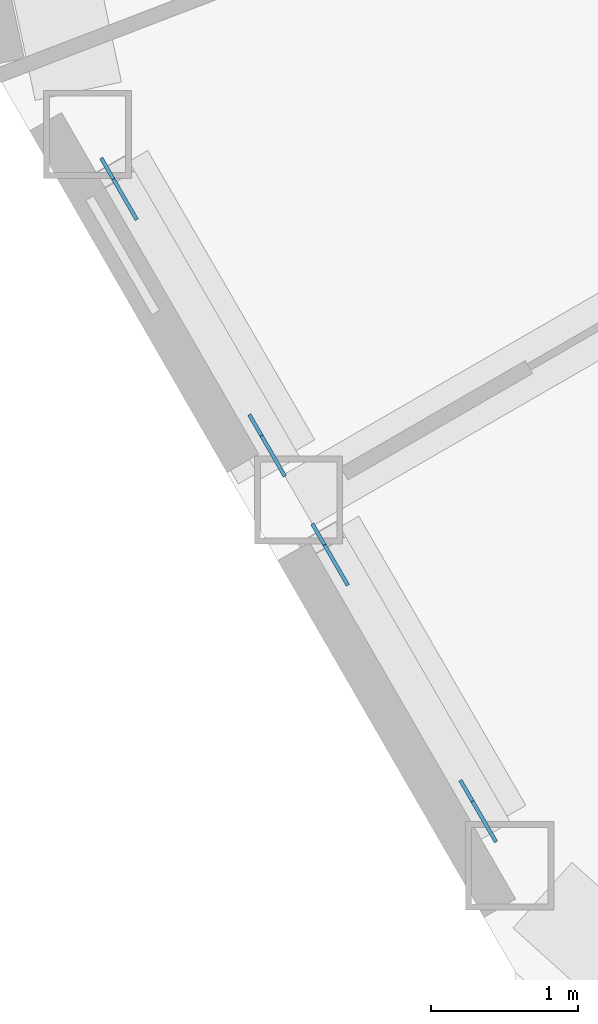
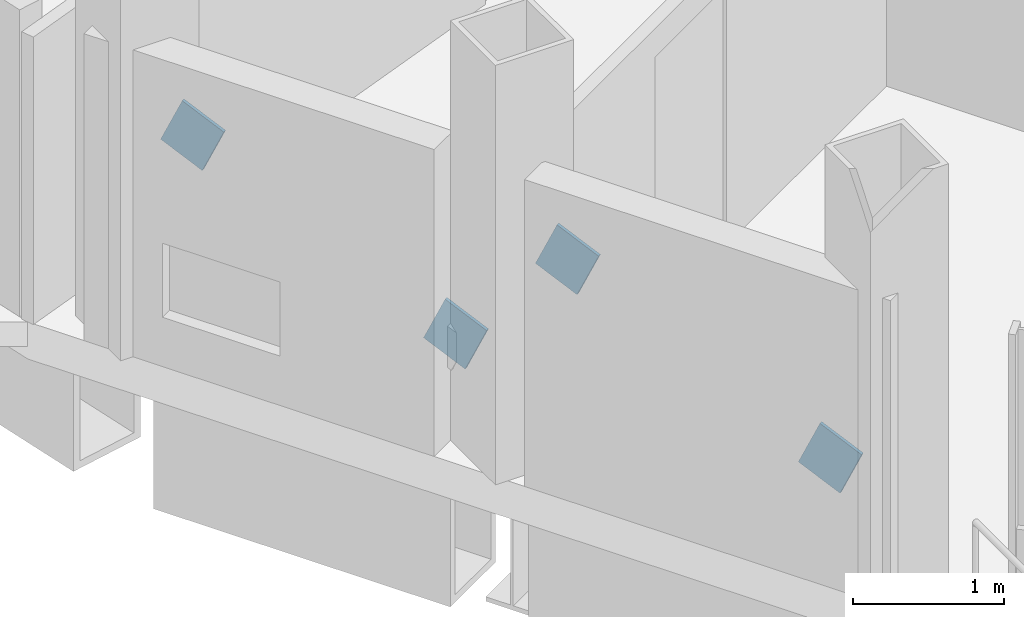
# One storey, part 20 of 28: 4 discrete accessories.
"""IFC4 building model written with IfcOpenShell, lengths in metres."""

import ifcopenshell
import ifcopenshell.guid

model = None  # the IFC model being written
_history = None  # IfcOwnerHistory: only IFC2X3 demands one
_inside = {}  # id of a spatial element -> (the spatial element, [elements in it])
_under = {}  # id of a project, library or spatial element -> (it, [spatial elements below it])
_declared = {}  # id of a project -> (the project, [libraries it declares])
_typed = {}  # id of a type object -> (the type object, [elements of that type])
_made_of = {}  # id of a material, layer set ... -> (it, [elements and type objects made of it])


def new_model(schema):
    """Start an empty IFC model of exactly this schema.

    Asked for "IFC4X3", IfcOpenShell would pick the latest addendum, in which some entities
    have other attributes; the version numbers below select the first issue.
    IFC2X3 requires an IfcOwnerHistory on every rooted entity: one is made here for all.
    """
    global model, _history
    if schema == "IFC4X3":
        model = ifcopenshell.file(schema_version=(4, 3, 0, 0))
    else:
        model = ifcopenshell.file(schema=schema)
    _inside.clear()
    _under.clear()
    _declared.clear()
    _typed.clear()
    _made_of.clear()
    _history = None
    if model.schema == "IFC2X3":
        org = make("IfcOrganization", Name="unknown")
        user = make(
            "IfcPersonAndOrganization",
            ThePerson=make("IfcPerson", FamilyName="unknown"),
            TheOrganization=org,
        )
        app = make(
            "IfcApplication",
            ApplicationDeveloper=org,
            Version="unknown",
            ApplicationFullName="unknown",
            ApplicationIdentifier="unknown",
        )
        _history = make(
            "IfcOwnerHistory",
            OwningUser=user,
            OwningApplication=app,
            ChangeAction="ADDED",
            CreationDate=0,
        )
    return model


def make(cls, **values):
    """One entity of the class cls with the attributes given. An attribute that is None is left unset."""
    return model.create_entity(
        cls, **{name: value for name, value in values.items() if value is not None}
    )


def rooted(cls, **values):
    """An entity with a GlobalId (a new one), such as an element, a storey or a relation."""
    return make(cls, GlobalId=ifcopenshell.guid.new(), OwnerHistory=_history, **values)


def si_unit(unit_type, name, prefix=None):
    """IfcSIUnit, for example si_unit("LENGTHUNIT", "METRE", prefix="MILLI")."""
    return make("IfcSIUnit", UnitType=unit_type, Prefix=prefix, Name=name)


def assignment(units):
    """IfcUnitAssignment: the units of a project."""
    return None if units is None else make("IfcUnitAssignment", Units=units)


def point(xyz):
    """IfcCartesianPoint."""
    return None if xyz is None else make("IfcCartesianPoint", Coordinates=xyz)


def direction(xyz):
    """IfcDirection."""
    return None if xyz is None else make("IfcDirection", DirectionRatios=xyz)


def frame(location, z_axis=None, x_axis=None):
    """IfcAxis2Placement3D, a coordinate frame: its origin and axes. An axis left out is left unset."""
    return make(
        "IfcAxis2Placement3D",
        Location=point(location),
        Axis=direction(z_axis),
        RefDirection=direction(x_axis),
    )


def frame_2d(location, x_axis=None):
    """IfcAxis2Placement2D, a coordinate frame in the plane: its origin and x axis."""
    return make(
        "IfcAxis2Placement2D", Location=point(location), RefDirection=direction(x_axis)
    )


def origin():
    """The frame at (0, 0, 0) with its axes left unset."""
    return frame((0.0, 0.0, 0.0))


def origin_2d():
    """The frame at (0, 0) in the plane with its x axis left unset."""
    return frame_2d((0.0, 0.0))


def place(relative_to, where):
    """IfcLocalPlacement: puts the frame where relative to a parent placement (None: the world)."""
    return make(
        "IfcLocalPlacement", PlacementRelTo=relative_to, RelativePlacement=where
    )


def context(
    kind, dimensions, precision=None, world=None, true_north=None, identifier=None
):
    """IfcGeometricRepresentationContext, for example the 3D "Model" context."""
    return make(
        "IfcGeometricRepresentationContext",
        ContextIdentifier=identifier,
        ContextType=kind,
        CoordinateSpaceDimension=dimensions,
        Precision=precision,
        WorldCoordinateSystem=world,
        TrueNorth=true_north,
    )


def subcontext(parent, identifier, kind, view, scale=None):
    """IfcGeometricRepresentationSubContext, for example "Body" below "Model"."""
    return make(
        "IfcGeometricRepresentationSubContext",
        ContextIdentifier=identifier,
        ContextType=kind,
        ParentContext=parent,
        TargetScale=scale,
        TargetView=view,
    )


def project(units=None, contexts=None):
    """IfcProject with its units and contexts."""
    return rooted(
        "IfcProject",
        Name="project",
        RepresentationContexts=contexts,
        UnitsInContext=assignment(units),
    )


def spatial(cls, under=None, at=None, **own):
    """A site, building, storey or space (cls), placed at a placement, below another one or the project."""
    s = rooted(cls, ObjectPlacement=at, **own)
    if under is not None:
        _under.setdefault(under.id(), (under, []))[1].append(s)
    return s


def profile(cls, at=None, kind="AREA", **sizes):
    """A parametric profile (cls). Its sizes go by their IFC names, for example OverallWidth=200.0."""
    return make(cls, ProfileType=kind, Position=at, **sizes)


def rectangle(**sizes):
    """IfcRectangleProfileDef."""
    return profile("IfcRectangleProfileDef", **sizes)


def extrude(swept, where, along, depth):
    """IfcExtrudedAreaSolid: the profile swept, set in the frame where, extruded along a direction by depth."""
    return make(
        "IfcExtrudedAreaSolid",
        SweptArea=swept,
        Position=where,
        ExtrudedDirection=direction(along),
        Depth=depth,
    )


def shape(context_of_items, identifier, shape_type, items):
    """IfcShapeRepresentation: the items that make up one representation, for example the "Body"."""
    return make(
        "IfcShapeRepresentation",
        ContextOfItems=context_of_items,
        RepresentationIdentifier=identifier,
        RepresentationType=shape_type,
        Items=items,
    )


def material(Name=None, Category=None):
    """IfcMaterial."""
    return make("IfcMaterial", Name=Name, Category=Category)


def material_profile(
    of_material, cross_section, Name=None, Category=None, Priority=None
):
    """IfcMaterialProfile: a cross section and its material."""
    return make(
        "IfcMaterialProfile",
        Name=Name,
        Material=of_material,
        Profile=cross_section,
        Priority=Priority,
        Category=Category,
    )


def profile_set(profiles, Name=None, composite=None):
    """IfcMaterialProfileSet."""
    return make(
        "IfcMaterialProfileSet",
        Name=Name,
        MaterialProfiles=profiles,
        CompositeProfile=composite,
    )


def made_of(thing, what):
    """Note that an element or type object is made of a material, layer set ...; save() writes the relation."""
    if what is not None:
        _made_of.setdefault(what.id(), (what, []))[1].append(thing)
    return thing


def type_object(cls, material=None, **own):
    """A type object (cls), such as IfcWallType, which elements share."""
    return made_of(rooted(cls, **own), material)


def element(
    cls,
    number,
    at=None,
    inside=None,
    cuts=None,
    type_object=None,
    material=None,
    context=None,
    identifier="Body",
    shape_type=None,
    held_by="IfcProductDefinitionShape",
    body=None,
    shapes=None,
    **own,
):
    """One element of the class cls, such as IfcWall. Its Tag is "e" and its number.

    at: its placement. inside: the storey or other place that contains it. cuts: it is an
    opening in that element (IfcRelVoidsElement). A single representation is given by context,
    identifier, shape_type and body (its items); several are given by shapes. held_by: the class
    of the entity that holds the representations. save() writes the other relations.
    """
    e = rooted(cls, Tag="e%d" % number, ObjectPlacement=at, **own)
    if body is not None:
        shapes = [shape(context, identifier, shape_type, body)]
    if shapes is not None:
        e.Representation = make(held_by, Representations=shapes)
    if inside is not None:
        _inside.setdefault(inside.id(), (inside, []))[1].append(e)
    if cuts is not None:
        rooted(
            "IfcRelVoidsElement", RelatingBuildingElement=cuts, RelatedOpeningElement=e
        )
    if type_object is not None:
        _typed.setdefault(type_object.id(), (type_object, []))[1].append(e)
    return made_of(e, material)


def aggregate(whole, parts):
    """IfcRelAggregates: a whole, such as a stair, and the parts it consists of."""
    return rooted("IfcRelAggregates", RelatingObject=whole, RelatedObjects=parts)


def save(model, path):
    """Write the relations noted so far, then the file.

    IfcRelAggregates (storeys below a building ...), IfcRelContainedInSpatialStructure (elements
    in a storey), IfcRelDefinesByType, IfcRelAssociatesMaterial and IfcRelDeclares: one each for
    every whole, place, type object, material and project.
    """
    for whole, parts in _under.values():
        aggregate(whole, parts)
    for where, things in _inside.values():
        rooted(
            "IfcRelContainedInSpatialStructure",
            RelatedElements=things,
            RelatingStructure=where,
        )
    for kind, things in _typed.values():
        rooted("IfcRelDefinesByType", RelatedObjects=things, RelatingType=kind)
    for what, things in _made_of.values():
        rooted("IfcRelAssociatesMaterial", RelatedObjects=things, RelatingMaterial=what)
    for by, libraries in _declared.values():
        rooted("IfcRelDeclares", RelatingContext=by, RelatedDefinitions=libraries)
    model.write(path)


model = new_model("IFC4")

# Units and contexts
model_context = context("Model", 3, precision=1e-05, world=origin(), true_north=direction((0.0, 1.0)))
body_context = subcontext(model_context, "Body", "Model", "MODEL_VIEW")
ifc_project = project(units=[si_unit("LENGTHUNIT", "METRE"), si_unit("AREAUNIT", "SQUARE_METRE"), si_unit("VOLUMEUNIT", "CUBIC_METRE"), si_unit("PLANEANGLEUNIT", "RADIAN"), si_unit("MASSUNIT", "GRAM", prefix="KILO")], contexts=[model_context])

# Site, building, storey
site_placement = place(None, origin())
site = spatial("IfcSite", under=ifc_project, at=site_placement, CompositionType="ELEMENT")
building_placement = place(site_placement, origin())
building = spatial("IfcBuilding", under=site, at=building_placement, Name="Cormorant Prow Tower", CompositionType="ELEMENT")
storey_placement = place(building_placement, frame((0.0, 0.0, 301.800048828125)))
storey = spatial("IfcBuildingStorey", under=building, at=storey_placement, Name="L65", CompositionType="ELEMENT", Elevation=301.800048828125)

# Discrete accessories
ifc_material = material(Name="Structural steel ASTM A500 Gr C", Category="steel")
ifc_material_profile = material_profile(ifc_material, rectangle(XDim=0.02490234375, YDim=0.405029296875, at=origin_2d()), Name="Gusset plate 25x405")
ifc_profile_set = profile_set([ifc_material_profile], Name="Structural steel ASTM A500 Gr C")
discrete_accessory_type = type_object("IfcDiscreteAccessoryType", Name="Gusset plate 25x405", PredefinedType="BRACKET", material=ifc_profile_set)
for number, where, z_axis, x_axis, name in (
    (1, (-27.7265625, -15.328369140625, 0.86376953125), (0.456239480558, -0.790396531303, -0.408801736402), (0.866071029786, 0.499920965119, 0.0), "Gusset plate GP3 L65.WSW00.g0"),
    (2, (-28.574951171875, -13.85888671875, 1.6240234375), (-0.456239480558, 0.790396531303, 0.408801736402), (-0.866071029786, -0.499920965119, 0.0), "Gusset plate GP3 L65.WSW00.g1"),
):
    element("IfcDiscreteAccessory", number, at=place(storey_placement, frame(where, z_axis=z_axis, x_axis=x_axis)), inside=storey, type_object=discrete_accessory_type, Name=name, PredefinedType="BRACKET", context=body_context, shape_type="SweptSolid", body=[
        extrude(rectangle(XDim=0.02490234375, YDim=0.405029296875, at=origin_2d()), origin(), (0.0, 0.0, 1.0), 0.349853515625),
    ])
discrete_accessory_1_placement = place(storey_placement, frame((-26.289794921875, -17.817138671875, 0.86376953125), z_axis=(0.456791619277, -0.790144892581, -0.408671586101), x_axis=(0.865740004385, 0.50049400077, 0.0)))
element("IfcDiscreteAccessory", 3, at=discrete_accessory_1_placement, inside=storey, type_object=discrete_accessory_type, Name="Gusset plate GP3 L65.WSW01.g0", PredefinedType="BRACKET", context=body_context, shape_type="SweptSolid", body=[
    extrude(rectangle(XDim=0.02490234375, YDim=0.405029296875, at=origin_2d()), origin(), (0.0, 0.0, 1.0), 0.35009765625),
])
discrete_accessory_2_placement = place(storey_placement, frame((-27.137939453125, -16.34765625, 1.6240234375), z_axis=(-0.45649114423, 0.790134518758, 0.409027233209), x_axis=(-0.865879799044, -0.500252110048, 0.0)))
element("IfcDiscreteAccessory", 4, at=discrete_accessory_2_placement, inside=storey, type_object=discrete_accessory_type, Name="Gusset plate GP3 L65.WSW01.g1", PredefinedType="BRACKET", context=body_context, shape_type="SweptSolid", body=[
    extrude(rectangle(XDim=0.02490234375, YDim=0.405029296875, at=origin_2d()), origin(), (0.0, 0.0, 1.0), 0.349853515625),
])

save(model, "model.ifc")
